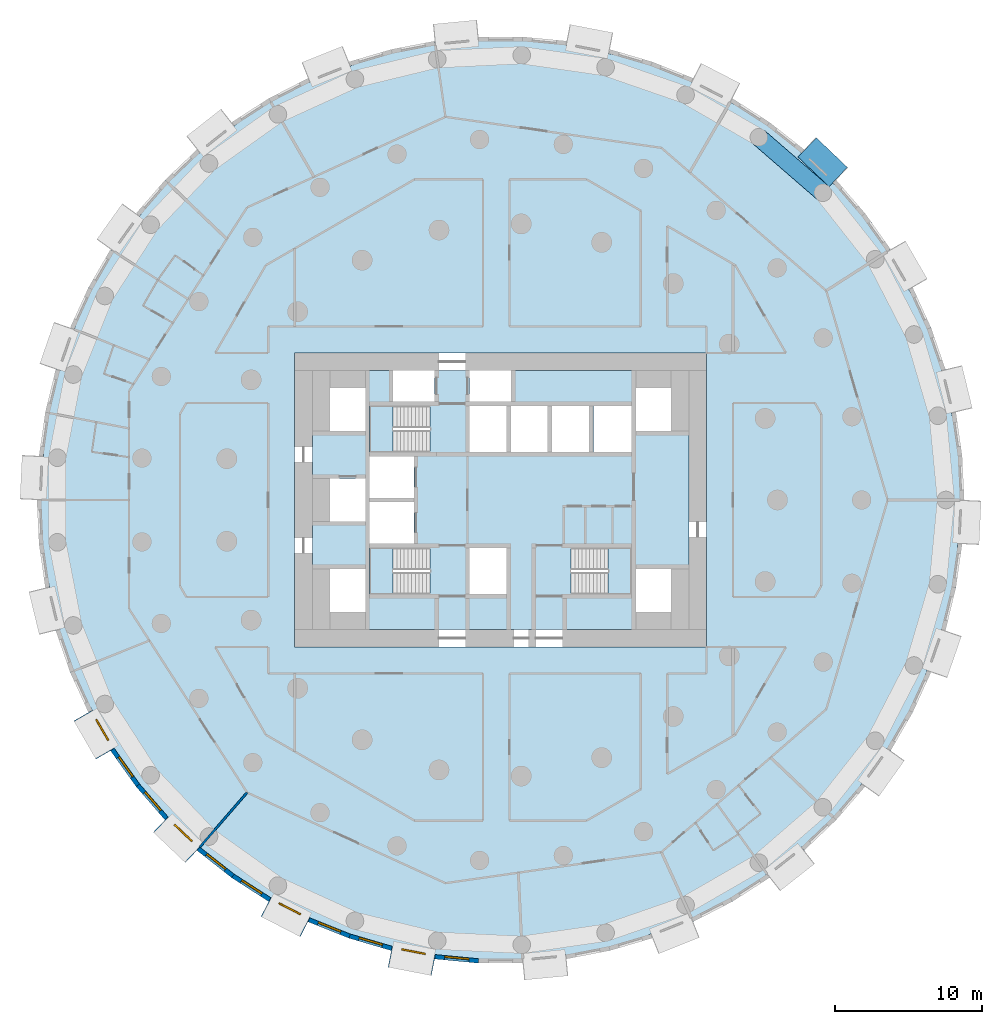
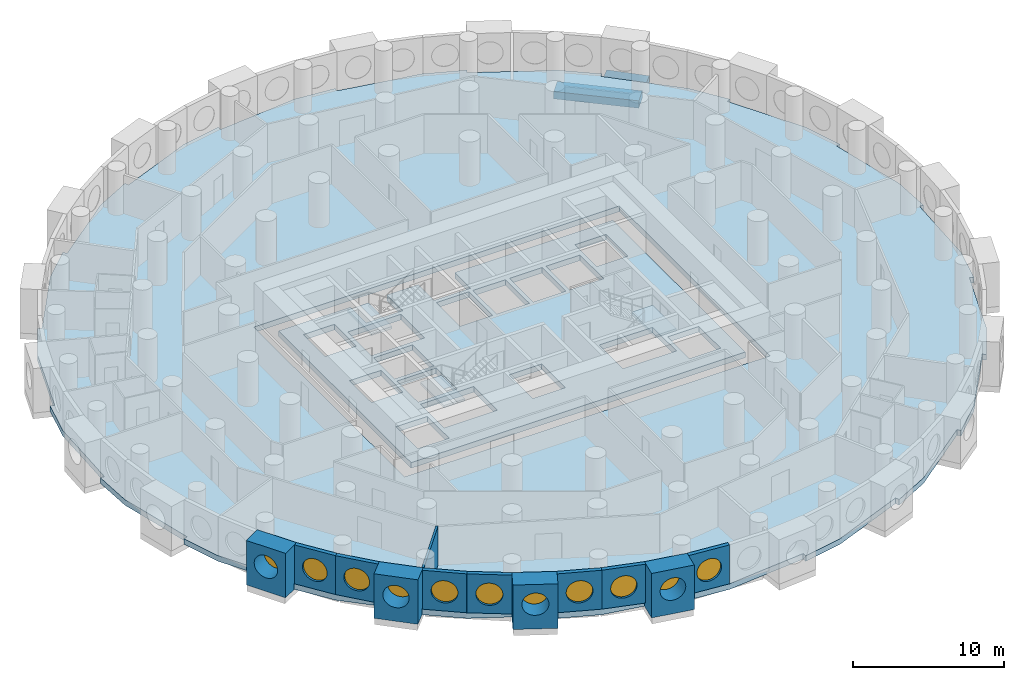
# One storey, part 2 of 11: 12 walls, 11 windows, 5 slabs, 2 beams, 11 openings, 3 elements without a shape of their own.
"""IFC4 building model written with IfcOpenShell, lengths in metres."""

from ifc_helpers import new_model, si_unit, direction, frame, frame_2d, origin, origin_2d, place, context, subcontext, project, spatial, polyline, rectangle, circle, outline, extrude, material, layer, layer_set, material_profile, profile_set, type_object, element, fill, aggregate, save


model = new_model("IFC4")

# Units and contexts
model_context = context("Model", 3, precision=1e-05, world=origin(), true_north=direction((0.0, 1.0)))
body_context = subcontext(model_context, "Body", "Model", "MODEL_VIEW")
ifc_project = project(units=[si_unit("LENGTHUNIT", "METRE"), si_unit("AREAUNIT", "SQUARE_METRE"), si_unit("VOLUMEUNIT", "CUBIC_METRE"), si_unit("PLANEANGLEUNIT", "RADIAN"), si_unit("MASSUNIT", "GRAM", prefix="KILO")], contexts=[model_context])

# Site, building, storey
site_placement = place(None, origin())
site = spatial("IfcSite", under=ifc_project, at=site_placement, CompositionType="ELEMENT")
building_placement = place(site_placement, origin())
building = spatial("IfcBuilding", under=site, at=building_placement, Name="Tracery Tower", CompositionType="ELEMENT")
storey_placement = place(building_placement, frame((0.0, 0.0, 64.199951171875)))
storey = spatial("IfcBuildingStorey", under=building, at=storey_placement, Name="L15", CompositionType="ELEMENT", Elevation=64.199951171875)

# Beams
ifc_material_1 = material(Name="Concrete C60/75", Category="concrete")
ifc_material_profile_1 = material_profile(ifc_material_1, rectangle(XDim=1.81005859375, YDim=0.5, at=origin_2d()), Name="RC 1810x500")
ifc_profile_set_1 = profile_set([ifc_material_profile_1], Name="Concrete C60/75")
beam_type_1 = type_object("IfcBeamType", Name="Bay seat beam 1810 x 500", PredefinedType="BEAM", material=ifc_profile_set_1)
beam_1_placement = place(storey_placement, frame((22.95556640625, 21.95947265625, -0.699951171875), z_axis=(-0.72375405418, 0.690058018617, 0.0), x_axis=(-0.690058018617, -0.72375405418, 0.0)))
element("IfcBeam", 1, at=beam_1_placement, inside=storey, type_object=beam_type_1, Name="Bay seat beam 9 at L15", PredefinedType="BEAM", context=body_context, shape_type="SweptSolid", body=[
    extrude(rectangle(XDim=1.81005859375, YDim=0.5, at=origin_2d()), origin(), (0.0, 0.0, 1.0), 2.919921875),
])
ifc_material_2 = material(Name="Concrete C60/75", Category="concrete")
ifc_material_profile_2 = material_profile(ifc_material_2, rectangle(XDim=1.199951171875, YDim=0.60009765625, at=origin_2d()), Name="RC 1200x600")
ifc_profile_set_2 = profile_set([ifc_material_profile_2], Name="Concrete C60/75")
beam_type_2 = type_object("IfcBeamType", Name="Perimeter band beam 1200x600", PredefinedType="BEAM", material=ifc_profile_set_2)
beam_2_placement = place(storey_placement, frame((21.910888671875, 20.891845703125, -0.75), z_axis=(-0.755760456715, 0.65484817482, 0.0), x_axis=(-0.65484817482, -0.755760456715, 0.0)))
element("IfcBeam", 2, at=beam_2_placement, inside=storey, type_object=beam_type_2, Name="Perimeter beam 0.04 under L15", PredefinedType="BEAM", context=body_context, shape_type="SweptSolid", body=[
    extrude(rectangle(XDim=1.199951171875, YDim=0.60009765625, at=origin_2d()), origin(), (0.0, 0.0, 1.0), 5.755615234375),
])

# Slabs
ifc_material_3 = material(Name="Concrete C60/75", Category="concrete")
ifc_layer_1 = layer(ifc_material_3, 0.449951171875)
ifc_layer_set_1 = layer_set([ifc_layer_1], Name="Core floor slab 450 C60")
slab_type_1 = type_object("IfcSlabType", Name="Core floor slab 450 C60", PredefinedType="FLOOR", material=ifc_layer_set_1)
slab_1_placement = place(storey_placement, frame((0.0, 0.0, -0.449951171875)))
element("IfcSlab", 3, at=slab_1_placement, inside=storey, type_object=slab_type_1, Name="L15 core floor 1", PredefinedType="FLOOR", context=body_context, shape_type="SweptSolid", body=[
    extrude(outline(polyline([(-12.800048828125, 8.800048828125), (-7.300048828125, 8.800048828125), (-7.300048828125, 6.699951171875), (-4.5, 6.699951171875), (-4.5, 8.800048828125), (-2.10009765625, 8.800048828125), (-2.10009765625, 6.699951171875), (0.699951171875, 6.699951171875), (0.699951171875, 8.800048828125), (12.800048828125, 8.800048828125), (12.800048828125, -8.800048828125), (-12.800048828125, -8.800048828125), (-12.800048828125, 8.800048828125)]), holes=[polyline([(11.60009765625, -7.60009765625), (11.60009765625, -4.699951171875), (9.199951171875, -4.699951171875), (9.199951171875, -7.60009765625), (11.60009765625, -7.60009765625)]), polyline([(11.60009765625, 4.699951171875), (11.60009765625, 7.60009765625), (9.199951171875, 7.60009765625), (9.199951171875, 4.699951171875), (11.60009765625, 4.699951171875)]), polyline([(4.800537109375, -3.25), (4.800537109375, -6.39990234375), (8.89990234375, -6.39990234375), (8.89990234375, -3.25), (4.800537109375, -3.25)]), polyline([(6.300048828125, 3.25), (8.89990234375, 3.25), (8.89990234375, 6.39990234375), (6.300048828125, 6.39990234375), (6.300048828125, 3.25)]), polyline([(3.5, 3.25), (6.0, 3.25), (6.0, 6.39990234375), (3.5, 6.39990234375), (3.5, 3.25)]), polyline([(3.199951171875, 3.25), (3.199951171875, 6.39990234375), (0.699951171875, 6.39990234375), (0.699951171875, 3.25), (3.199951171875, 3.25)]), polyline([(-2.10009765625, 3.25), (0.39990234375, 3.25), (0.39990234375, 6.39990234375), (-2.10009765625, 6.39990234375), (-2.10009765625, 3.25)]), polyline([(0.39990234375, -6.39990234375), (0.39990234375, -3.25), (-2.10009765625, -3.25), (-2.10009765625, -6.39990234375), (0.39990234375, -6.39990234375)]), polyline([(-4.800537109375, -3.25), (-8.89990234375, -3.25), (-8.89990234375, -6.39990234375), (-4.800537109375, -6.39990234375), (-4.800537109375, -3.25)]), polyline([(-4.800537109375, 6.39990234375), (-8.89990234375, 6.39990234375), (-8.89990234375, 3.25), (-4.800537109375, 3.25), (-4.800537109375, 6.39990234375)]), polyline([(-8.89990234375, -2.949951171875), (-5.89990234375, -2.949951171875), (-5.89990234375, -0.14990234375), (-8.89990234375, -0.14990234375), (-8.89990234375, -2.949951171875)]), polyline([(-5.89990234375, 0.14990234375), (-5.89990234375, 2.949951171875), (-8.89990234375, 2.949951171875), (-8.89990234375, 0.14990234375), (-5.89990234375, 0.14990234375)]), polyline([(-11.60009765625, 4.699951171875), (-9.199951171875, 4.699951171875), (-9.199951171875, 7.60009765625), (-11.60009765625, 7.60009765625), (-11.60009765625, 4.699951171875)]), polyline([(-9.199951171875, -7.60009765625), (-9.199951171875, -4.699951171875), (-11.60009765625, -4.699951171875), (-11.60009765625, -7.60009765625), (-9.199951171875, -7.60009765625)]), polyline([(-9.199951171875, -1.449951171875), (-9.199951171875, 1.449951171875), (-11.60009765625, 1.449951171875), (-11.60009765625, -1.449951171875), (-9.199951171875, -1.449951171875)])]), origin(), (0.0, 0.0, 1.0), 0.449951171875),
])
ifc_material_4 = material(Name="Concrete C50/60", Category="concrete")
ifc_layer_2 = layer(ifc_material_4, 0.449951171875)
ifc_layer_set_2 = layer_set([ifc_layer_2], Name="Floor slab 450")
slab_type_2 = type_object("IfcSlabType", Name="Floor slab 450", PredefinedType="FLOOR", material=ifc_layer_set_2)
slab_2_placement = place(storey_placement, frame((0.0, 0.0, -0.449951171875)))
element("IfcSlab", 4, at=slab_2_placement, inside=storey, type_object=slab_type_2, Name="Floor slab L15", PredefinedType="FLOOR", context=body_context, shape_type="SweptSolid", body=[
    extrude(outline(polyline([(30.663330078125, 5.8955078125), (30.663330078125, 5.895263671875), (30.66015625, 5.908447265625), (30.659912109375, 5.9091796875), (30.6015625, 6.150390625), (29.9560546875, 8.810791015625), (30.24755859375, 8.881591796875), (30.24755859375, 8.881591796875), (29.266357421875, 11.716552734375), (27.760498046875, 14.29541015625), (27.760498046875, 14.29541015625), (27.7548828125, 14.3046875), (27.753173828125, 14.307861328125), (26.267578125, 16.881103515625), (26.267578125, 16.881103515625), (26.260498046875, 16.8935546875), (26.52001953125, 17.04345703125), (26.520263671875, 17.04345703125), (24.780029296875, 19.4873046875), (22.6083984375, 21.537353515625), (22.6083984375, 21.537353515625), (21.854736328125, 22.256103515625), (20.447509765625, 23.59765625), (20.447509765625, 23.59765625), (20.437255859375, 23.607666015625), (20.64404296875, 23.824462890625), (20.644287109375, 23.82470703125), (18.2861328125, 25.67919921875), (15.625, 27.034423828125), (15.624755859375, 27.034423828125), (15.614990234375, 27.03955078125), (15.612060546875, 27.041015625), (13.0693359375, 28.351806640625), (12.958251953125, 28.4091796875), (13.095703125, 28.67578125), (10.310791015625, 29.790771484375), (7.37548828125, 30.341552734375), (7.37548828125, 30.34130859375), (7.114501953125, 30.3916015625), (4.443603515625, 30.906494140625), (4.443603515625, 30.906494140625), (4.4296875, 30.9091796875), (4.486328125, 31.203369140625), (4.486328125, 31.20361328125), (1.5, 31.489013671875), (-1.471435546875, 31.190185546875), (-1.471435546875, 31.190185546875), (-1.859375, 31.1533203125), (-4.443603515625, 30.906494140625), (-4.443603515625, 30.906494140625), (-4.4580078125, 30.905029296875), (-4.486328125, 31.20361328125), (-7.43212890625, 30.635986328125), (-10.19921875, 29.512451171875), (-10.19921875, 29.51220703125), (-12.984375, 28.397216796875), (-13.095703125, 28.67578125), (-13.095703125, 28.67578125), (-15.76220703125, 27.301025390625), (-18.1005859375, 25.443359375), (-18.1005859375, 25.443359375), (-18.103271484375, 25.44140625), (-18.11181640625, 25.4345703125), (-20.447509765625, 23.59765625), (-20.447509765625, 23.59765625), (-20.458740234375, 23.5888671875), (-20.644287109375, 23.82470703125), (-22.8154296875, 21.75439453125), (-24.53564453125, 19.313232421875), (-24.53564453125, 19.313232421875), (-24.81201171875, 18.9248046875), (-26.267578125, 16.881103515625), (-26.267578125, 16.881103515625), (-26.27587890625, 16.869384765625), (-26.520263671875, 17.04345703125), (-28.020263671875, 14.4453125), (-28.98291015625, 11.618408203125), (-28.98291015625, 11.618408203125), (-29.964111328125, 8.783447265625), (-30.24755859375, 8.881591796875), (-30.954833984375, 5.966064453125), (-31.082275390625, 2.982421875), (-31.082275390625, 2.982421875), (-31.224853515625, -0.014404296875), (-31.524658203125, 0.0), (-31.524658203125, 0.0), (-31.3818359375, -2.99658203125), (-30.663330078125, -5.8955078125), (-30.663330078125, -5.895263671875), (-30.66015625, -5.908447265625), (-30.659912109375, -5.9091796875), (-30.6015625, -6.150390625), (-29.9560546875, -8.810791015625), (-30.24755859375, -8.881591796875), (-30.24755859375, -8.881591796875), (-29.266357421875, -11.716552734375), (-27.760498046875, -14.29541015625), (-27.760498046875, -14.29541015625), (-27.7548828125, -14.3046875), (-27.753173828125, -14.307861328125), (-26.267578125, -16.881103515625), (-26.267578125, -16.881103515625), (-26.260498046875, -16.8935546875), (-26.52001953125, -17.04345703125), (-26.520263671875, -17.04345703125), (-24.780029296875, -19.4873046875), (-22.6083984375, -21.537353515625), (-22.6083984375, -21.537353515625), (-21.854736328125, -22.256103515625), (-20.447509765625, -23.59765625), (-20.447509765625, -23.59765625), (-20.437255859375, -23.607666015625), (-20.64404296875, -23.824462890625), (-20.644287109375, -23.82470703125), (-18.2861328125, -25.67919921875), (-15.625, -27.034423828125), (-15.624755859375, -27.034423828125), (-15.614990234375, -27.03955078125), (-15.612060546875, -27.041015625), (-13.0693359375, -28.351806640625), (-12.958251953125, -28.4091796875), (-13.095703125, -28.67578125), (-10.310791015625, -29.790771484375), (-7.37548828125, -30.341552734375), (-7.37548828125, -30.34130859375), (-7.114501953125, -30.3916015625), (-4.443603515625, -30.906494140625), (-4.443603515625, -30.906494140625), (-4.4296875, -30.9091796875), (-4.486328125, -31.203369140625), (-4.486328125, -31.20361328125), (-1.5, -31.489013671875), (1.471435546875, -31.190185546875), (1.471435546875, -31.190185546875), (1.859375, -31.1533203125), (4.443603515625, -30.906494140625), (4.443603515625, -30.906494140625), (4.4580078125, -30.905029296875), (4.486328125, -31.20361328125), (7.43212890625, -30.635986328125), (10.19921875, -29.512451171875), (10.19921875, -29.51220703125), (12.984375, -28.397216796875), (13.095703125, -28.67578125), (13.095703125, -28.67578125), (15.76220703125, -27.301025390625), (18.1005859375, -25.443359375), (18.1005859375, -25.443359375), (18.103271484375, -25.44140625), (18.11181640625, -25.4345703125), (20.447509765625, -23.59765625), (20.447509765625, -23.59765625), (20.458740234375, -23.5888671875), (20.644287109375, -23.82470703125), (22.8154296875, -21.75439453125), (24.53564453125, -19.313232421875), (24.53564453125, -19.313232421875), (24.81201171875, -18.9248046875), (26.267578125, -16.881103515625), (26.267578125, -16.881103515625), (26.27587890625, -16.869384765625), (26.520263671875, -17.04345703125), (28.020263671875, -14.4453125), (28.98291015625, -11.618408203125), (28.98291015625, -11.618408203125), (29.964111328125, -8.783447265625), (30.24755859375, -8.881591796875), (30.954833984375, -5.966064453125), (31.082275390625, -2.982421875), (31.082275390625, -2.982421875), (31.224853515625, 0.014404296875), (31.524658203125, 0.0), (31.3818359375, 2.99658203125), (30.663330078125, 5.8955078125)]), holes=[polyline([(-14.0, -10.0), (14.0, -10.0), (14.0, 10.0), (-14.0, 10.0), (-14.0, -10.0)])]), origin(), (0.0, 0.0, 1.0), 0.449951171875),
])

# Stair, slab
ifc_material_5 = material(Name="Concrete C32/40", Category="concrete")
stair_type = type_object("IfcStairType", Name="Core stair 22 risers", PredefinedType="HALF_TURN_STAIR", material=ifc_material_5)
stair_1_placement = place(storey_placement, origin())
stair_1 = element("IfcStair", 5, at=stair_1_placement, inside=storey, type_object=stair_type, Name="L15 stair ST1", PredefinedType="HALF_TURN_STAIR")
ifc_material_6 = material(Name="Concrete C32/40", Category="concrete")
ifc_layer_3 = layer(ifc_material_6, 0.199951171875)
ifc_layer_set_3 = layer_set([ifc_layer_3], Name="Stair landing slab 200")
slab_type_3 = type_object("IfcSlabType", Name="Stair landing slab 200", PredefinedType="LANDING", material=ifc_layer_set_3)
slab_3_placement = place(storey_placement, frame((0.0, 0.0, 1.60009765625)))
slab_3 = element("IfcSlab", 6, at=slab_3_placement, type_object=slab_type_3, Name="ST1 landing 1", PredefinedType="LANDING", context=body_context, shape_type="SweptSolid", body=[
    extrude(outline(polyline([(-7.29931640625, -3.25), (-8.89990234375, -3.25), (-8.89990234375, -6.39990234375), (-7.29931640625, -6.39990234375), (-7.29931640625, -3.25)])), origin(), (0.0, 0.0, 1.0), 0.199951171875),
])
aggregate(stair_1, [slab_3])

stair_2_placement = place(storey_placement, origin())
stair_2 = element("IfcStair", 7, at=stair_2_placement, inside=storey, type_object=stair_type, Name="L15 stair ST3", PredefinedType="HALF_TURN_STAIR")
slab_4_placement = place(storey_placement, frame((0.0, 0.0, 1.60009765625)))
slab_4 = element("IfcSlab", 8, at=slab_4_placement, type_object=slab_type_3, Name="ST3 landing 1", PredefinedType="LANDING", context=body_context, shape_type="SweptSolid", body=[
    extrude(outline(polyline([(-7.29931640625, 6.39990234375), (-8.89990234375, 6.39990234375), (-8.89990234375, 3.25), (-7.29931640625, 3.25), (-7.29931640625, 6.39990234375)])), origin(), (0.0, 0.0, 1.0), 0.199951171875),
])
aggregate(stair_2, [slab_4])

stair_3_placement = place(storey_placement, origin())
stair_3 = element("IfcStair", 9, at=stair_3_placement, inside=storey, type_object=stair_type, Name="L15 stair ST2", PredefinedType="HALF_TURN_STAIR")
slab_5_placement = place(storey_placement, frame((0.0, 0.0, 1.60009765625)))
slab_5 = element("IfcSlab", 10, at=slab_5_placement, type_object=slab_type_3, Name="ST2 landing 1", PredefinedType="LANDING", context=body_context, shape_type="SweptSolid", body=[
    extrude(outline(polyline([(7.29931640625, -6.39990234375), (8.89990234375, -6.39990234375), (8.89990234375, -3.25), (7.29931640625, -3.25), (7.29931640625, -6.39990234375)])), origin(), (0.0, 0.0, 1.0), 0.199951171875),
])
aggregate(stair_3, [slab_5])

# Wall, opening, window
ifc_material_7 = material(Name="Precast concrete C50/60", Category="concrete")
ifc_layer_4 = layer(ifc_material_7, 1.449951171875)
ifc_layer_set_4 = layer_set([ifc_layer_4], Name="Deep-set bay unit 3000 x 3600, slab edge 450")
wall_type_1 = type_object("IfcWallType", Name="Deep-set bay unit 3000 x 3600, slab edge 450", PredefinedType="ELEMENTEDWALL", material=ifc_layer_set_4)
wall_1_placement = place(storey_placement, frame((-28.38818359375, -14.657958984375, -0.449951171875), z_axis=(0.0, 0.0, 1.0), x_axis=(0.499990139034, -0.866031096941, 0.0)))
wall_1 = element("IfcWall", 11, at=wall_1_placement, inside=storey, type_object=wall_type_1, Name="Deep-set bay unit 39 at L15", PredefinedType="ELEMENTEDWALL", context=body_context, shape_type="SweptSolid", body=[
    extrude(rectangle(XDim=3.0, YDim=1.449951171875, at=frame_2d((1.5, 0.0))), origin(), (0.0, 0.0, 1.0), 3.60009765625),
])
opening_1_placement = place(wall_1_placement, frame((1.5, 0.0, 2.0)))
opening_1 = element("IfcOpeningElement", 12, at=opening_1_placement, cuts=wall_1, Name="Opening WN1", PredefinedType="OPENING", context=body_context, shape_type="SweptSolid", body=[
    extrude(circle(Radius=0.9000244140625, at=origin_2d()), frame((0.0, 0.73486328125, 0.0), z_axis=(0.0, -1.0, 0.0), x_axis=(1.0, 0.0, 0.0)), (0.0, 0.0, 1.0), 1.469970703125),
])
ifc_material_8 = material(Name="Aluminium frame with tinted double glazing", Category="aluminium")
window_type = type_object("IfcWindowType", Name="Round window 1800", PartitioningType="SINGLE_PANEL", PredefinedType="WINDOW", material=ifc_material_8)
window_1_placement = place(opening_1_placement, origin())
window_1 = element("IfcWindow", 13, at=window_1_placement, inside=storey, type_object=window_type, Name="Round window 39 at L15", OverallHeight=1.800048828125, OverallWidth=1.800048828125, PartitioningType="SINGLE_PANEL", PredefinedType="WINDOW", context=body_context, shape_type="SweptSolid", body=[
    extrude(circle(Radius=0.9000244140625, at=origin_2d()), frame((0.0, 0.69482421875, 0.0), z_axis=(0.0, -1.0, 0.0), x_axis=(1.0, 0.0, 0.0)), (0.0, 0.0, 1.0), 0.10009765625),
])
fill(opening_1, window_1)

wall_2_placement = place(storey_placement, frame((-23.108642578125, -22.06201171875, -0.449951171875), z_axis=(0.0, 0.0, 1.0), x_axis=(0.723712023899, -0.690102098579, 0.0)))
wall_2 = element("IfcWall", 14, at=wall_2_placement, inside=storey, type_object=wall_type_1, Name="Deep-set bay unit 42 at L15", PredefinedType="ELEMENTEDWALL", context=body_context, shape_type="SweptSolid", body=[
    extrude(rectangle(XDim=3.0, YDim=1.449951171875, at=frame_2d((1.5, 0.0))), origin(), (0.0, 0.0, 1.0), 3.60009765625),
])
opening_2_placement = place(wall_2_placement, frame((1.5, 0.0, 2.0)))
opening_2 = element("IfcOpeningElement", 15, at=opening_2_placement, cuts=wall_2, Name="Opening WN1", PredefinedType="OPENING", context=body_context, shape_type="SweptSolid", body=[
    extrude(circle(Radius=0.9000244140625, at=origin_2d()), frame((0.0, 0.73486328125, 0.0), z_axis=(0.0, -1.0, 0.0), x_axis=(1.0, 0.0, 0.0)), (0.0, 0.0, 1.0), 1.469970703125),
])
window_2_placement = place(opening_2_placement, origin())
window_2 = element("IfcWindow", 16, at=window_2_placement, inside=storey, type_object=window_type, Name="Round window 42 at L15", OverallHeight=1.800048828125, OverallWidth=1.800048828125, PartitioningType="SINGLE_PANEL", PredefinedType="WINDOW", context=body_context, shape_type="SweptSolid", body=[
    extrude(circle(Radius=0.9000244140625, at=origin_2d()), frame((0.0, 0.69482421875, 0.0), z_axis=(0.0, -1.0, 0.0), x_axis=(1.0, 0.0, 0.0)), (0.0, 0.0, 1.0), 0.10009765625),
])
fill(opening_2, window_2)

wall_3_placement = place(storey_placement, frame((-15.95703125, -27.678955078125, -0.449951171875), z_axis=(0.0, 0.0, 1.0), x_axis=(0.888858064689, -0.458182650083, 0.0)))
wall_3 = element("IfcWall", 17, at=wall_3_placement, inside=storey, type_object=wall_type_1, Name="Deep-set bay unit 45 at L15", PredefinedType="ELEMENTEDWALL", context=body_context, shape_type="SweptSolid", body=[
    extrude(rectangle(XDim=3.0, YDim=1.449951171875, at=frame_2d((1.5, 0.0))), origin(), (0.0, 0.0, 1.0), 3.60009765625),
])
opening_3_placement = place(wall_3_placement, frame((1.5, 0.0, 2.0)))
opening_3 = element("IfcOpeningElement", 18, at=opening_3_placement, cuts=wall_3, Name="Opening WN1", PredefinedType="OPENING", context=body_context, shape_type="SweptSolid", body=[
    extrude(circle(Radius=0.9000244140625, at=origin_2d()), frame((0.0, 0.73486328125, 0.0), z_axis=(0.0, -1.0, 0.0), x_axis=(1.0, 0.0, 0.0)), (0.0, 0.0, 1.0), 1.469970703125),
])
window_3_placement = place(opening_3_placement, origin())
window_3 = element("IfcWindow", 19, at=window_3_placement, inside=storey, type_object=window_type, Name="Round window 45 at L15", OverallHeight=1.800048828125, OverallWidth=1.800048828125, PartitioningType="SINGLE_PANEL", PredefinedType="WINDOW", context=body_context, shape_type="SweptSolid", body=[
    extrude(circle(Radius=0.9000244140625, at=origin_2d()), frame((0.0, 0.69482421875, 0.0), z_axis=(0.0, -1.0, 0.0), x_axis=(1.0, 0.0, 0.0)), (0.0, 0.0, 1.0), 0.10009765625),
])
fill(opening_3, window_3)

wall_4_placement = place(storey_placement, frame((-7.5126953125, -31.05322265625, -0.449951171875), z_axis=(0.0, 0.0, 1.0), x_axis=(0.981921602273, -0.189288052949, 0.0)))
wall_4 = element("IfcWall", 20, at=wall_4_placement, inside=storey, type_object=wall_type_1, Name="Deep-set bay unit 48 at L15", PredefinedType="ELEMENTEDWALL", context=body_context, shape_type="SweptSolid", body=[
    extrude(rectangle(XDim=3.0, YDim=1.449951171875, at=frame_2d((1.5, 0.0))), origin(), (0.0, 0.0, 1.0), 3.60009765625),
])
opening_4_placement = place(wall_4_placement, frame((1.5, 0.0, 2.0)))
opening_4 = element("IfcOpeningElement", 21, at=opening_4_placement, cuts=wall_4, Name="Opening WN1", PredefinedType="OPENING", context=body_context, shape_type="SweptSolid", body=[
    extrude(circle(Radius=0.9000244140625, at=origin_2d()), frame((0.0, 0.73486328125, 0.0), z_axis=(0.0, -1.0, 0.0), x_axis=(1.0, 0.0, 0.0)), (0.0, 0.0, 1.0), 1.469970703125),
])
window_4_placement = place(opening_4_placement, origin())
window_4 = element("IfcWindow", 22, at=window_4_placement, inside=storey, type_object=window_type, Name="Round window 48 at L15", OverallHeight=1.800048828125, OverallWidth=1.800048828125, PartitioningType="SINGLE_PANEL", PredefinedType="WINDOW", context=body_context, shape_type="SweptSolid", body=[
    extrude(circle(Radius=0.9000244140625, at=origin_2d()), frame((0.0, 0.69482421875, 0.0), z_axis=(0.0, -1.0, 0.0), x_axis=(1.0, 0.0, 0.0)), (0.0, 0.0, 1.0), 0.10009765625),
])
fill(opening_4, window_4)

ifc_material_9 = material(Name="Precast concrete C50/60", Category="concrete")
ifc_layer_5 = layer(ifc_material_9, 0.300048828125)
ifc_layer_set_5 = layer_set([ifc_layer_5], Name="Facade panel 3000 x 3150")
wall_type_2 = type_object("IfcWallType", Name="Facade panel 3000 x 3150", PredefinedType="SOLIDWALL", material=ifc_layer_set_5)
wall_5_placement = place(storey_placement, frame((-26.390380859375, -16.96728515625, 0.0), z_axis=(0.0, 0.0, 1.0), x_axis=(0.580113774115, -0.814535456, 0.0)))
wall_5 = element("IfcWall", 23, at=wall_5_placement, inside=storey, type_object=wall_type_2, Name="Facade panel 40 at L15", PredefinedType="SOLIDWALL", context=body_context, shape_type="SweptSolid", body=[
    extrude(rectangle(XDim=2.979736328125, YDim=0.300048828125, at=frame_2d((1.48974609375, 0.0))), origin(), (0.0, 0.0, 1.0), 3.150146484375),
])
opening_5_placement = place(wall_5_placement, frame((1.48974609375, 0.0, 1.5498046875)))
opening_5 = element("IfcOpeningElement", 24, at=opening_5_placement, cuts=wall_5, Name="Opening WN1", PredefinedType="OPENING", context=body_context, shape_type="SweptSolid", body=[
    extrude(circle(Radius=0.9000244140625, at=origin_2d()), frame((0.0, 0.159912109375, 0.0), z_axis=(0.0, -1.0, 0.0), x_axis=(1.0, 0.0, 0.0)), (0.0, 0.0, 1.0), 0.320068359375),
])
window_5_placement = place(opening_5_placement, origin())
window_5 = element("IfcWindow", 25, at=window_5_placement, inside=storey, type_object=window_type, Name="Round window 40 at L15", OverallHeight=1.800048828125, OverallWidth=1.800048828125, PartitioningType="SINGLE_PANEL", PredefinedType="WINDOW", context=body_context, shape_type="SweptSolid", body=[
    extrude(circle(Radius=0.9000244140625, at=origin_2d()), frame((0.0, 0.1201171875, 0.0), z_axis=(0.0, -1.0, 0.0), x_axis=(1.0, 0.0, 0.0)), (0.0, 0.0, 1.0), 0.10009765625),
])
fill(opening_5, window_5)

wall_6_placement = place(storey_placement, frame((-24.661865234375, -19.394287109375, 0.0), z_axis=(0.0, 0.0, 1.0), x_axis=(0.654830712471, -0.755775587066, 0.0)))
wall_6 = element("IfcWall", 26, at=wall_6_placement, inside=storey, type_object=wall_type_2, Name="Facade panel 41 at L15", PredefinedType="SOLIDWALL", context=body_context, shape_type="SweptSolid", body=[
    extrude(rectangle(XDim=2.979736328125, YDim=0.300048828125, at=frame_2d((1.48974609375, 0.0))), origin(), (0.0, 0.0, 1.0), 3.150146484375),
])
opening_6_placement = place(wall_6_placement, frame((1.48974609375, 0.0, 1.5498046875)))
opening_6 = element("IfcOpeningElement", 27, at=opening_6_placement, cuts=wall_6, Name="Opening WN1", PredefinedType="OPENING", context=body_context, shape_type="SweptSolid", body=[
    extrude(circle(Radius=0.9000244140625, at=origin_2d()), frame((0.0, 0.159912109375, 0.0), z_axis=(0.0, -1.0, 0.0), x_axis=(1.0, 0.0, 0.0)), (0.0, 0.0, 1.0), 0.320068359375),
])
window_6_placement = place(opening_6_placement, origin())
window_6 = element("IfcWindow", 28, at=window_6_placement, inside=storey, type_object=window_type, Name="Round window 41 at L15", OverallHeight=1.800048828125, OverallWidth=1.800048828125, PartitioningType="SINGLE_PANEL", PredefinedType="WINDOW", context=body_context, shape_type="SweptSolid", body=[
    extrude(circle(Radius=0.9000244140625, at=origin_2d()), frame((0.0, 0.1201171875, 0.0), z_axis=(0.0, -1.0, 0.0), x_axis=(1.0, 0.0, 0.0)), (0.0, 0.0, 1.0), 0.10009765625),
])
fill(opening_6, window_6)

wall_7_placement = place(storey_placement, frame((-20.541015625, -23.715087890625, 0.0), z_axis=(0.0, 0.0, 1.0), x_axis=(0.786053834673, -0.618158045322, 0.0)))
wall_7 = element("IfcWall", 29, at=wall_7_placement, inside=storey, type_object=wall_type_2, Name="Facade panel 43 at L15", PredefinedType="SOLIDWALL", context=body_context, shape_type="SweptSolid", body=[
    extrude(rectangle(XDim=2.9794921875, YDim=0.300048828125, at=frame_2d((1.48974609375, 0.0))), origin(), (0.0, 0.0, 1.0), 3.150146484375),
])
opening_7_placement = place(wall_7_placement, frame((1.48974609375, 0.0, 1.5498046875)))
opening_7 = element("IfcOpeningElement", 30, at=opening_7_placement, cuts=wall_7, Name="Opening WN1", PredefinedType="OPENING", context=body_context, shape_type="SweptSolid", body=[
    extrude(circle(Radius=0.9000244140625, at=origin_2d()), frame((0.0, 0.159912109375, 0.0), z_axis=(0.0, -1.0, 0.0), x_axis=(1.0, 0.0, 0.0)), (0.0, 0.0, 1.0), 0.320068359375),
])
window_7_placement = place(opening_7_placement, origin())
window_7 = element("IfcWindow", 31, at=window_7_placement, inside=storey, type_object=window_type, Name="Round window 43 at L15", OverallHeight=1.800048828125, OverallWidth=1.800048828125, PartitioningType="SINGLE_PANEL", PredefinedType="WINDOW", context=body_context, shape_type="SweptSolid", body=[
    extrude(circle(Radius=0.9000244140625, at=origin_2d()), frame((0.0, 0.1201171875, 0.0), z_axis=(0.0, -1.0, 0.0), x_axis=(1.0, 0.0, 0.0)), (0.0, 0.0, 1.0), 0.10009765625),
])
fill(opening_7, window_7)

wall_8_placement = place(storey_placement, frame((-18.198974609375, -25.556884765625, 0.0), z_axis=(0.0, 0.0, 1.0), x_axis=(0.841260995538, -0.54062920508, 0.0)))
wall_8 = element("IfcWall", 32, at=wall_8_placement, inside=storey, type_object=wall_type_2, Name="Facade panel 44 at L15", PredefinedType="SOLIDWALL", context=body_context, shape_type="SweptSolid", body=[
    extrude(rectangle(XDim=2.9794921875, YDim=0.300048828125, at=frame_2d((1.48974609375, 0.0))), origin(), (0.0, 0.0, 1.0), 3.150146484375),
])
opening_8_placement = place(wall_8_placement, frame((1.48974609375, 0.0, 1.5498046875)))
opening_8 = element("IfcOpeningElement", 33, at=opening_8_placement, cuts=wall_8, Name="Opening WN1", PredefinedType="OPENING", context=body_context, shape_type="SweptSolid", body=[
    extrude(circle(Radius=0.9000244140625, at=origin_2d()), frame((0.0, 0.159912109375, 0.0), z_axis=(0.0, -1.0, 0.0), x_axis=(1.0, 0.0, 0.0)), (0.0, 0.0, 1.0), 0.320068359375),
])
window_8_placement = place(opening_8_placement, origin())
window_8 = element("IfcWindow", 34, at=window_8_placement, inside=storey, type_object=window_type, Name="Round window 44 at L15", OverallHeight=1.800048828125, OverallWidth=1.800048828125, PartitioningType="SINGLE_PANEL", PredefinedType="WINDOW", context=body_context, shape_type="SweptSolid", body=[
    extrude(circle(Radius=0.9000244140625, at=origin_2d()), frame((0.0, 0.1201171875, 0.0), z_axis=(0.0, -1.0, 0.0), x_axis=(1.0, 0.0, 0.0)), (0.0, 0.0, 1.0), 0.10009765625),
])
fill(opening_8, window_8)

wall_9_placement = place(storey_placement, frame((-13.02783203125, -28.54150390625, 0.0), z_axis=(0.0, 0.0, 1.0), x_axis=(0.928374947, -0.371644935098, 0.0)))
wall_9 = element("IfcWall", 35, at=wall_9_placement, inside=storey, type_object=wall_type_2, Name="Facade panel 46 at L15", PredefinedType="SOLIDWALL", context=body_context, shape_type="SweptSolid", body=[
    extrude(rectangle(XDim=2.979736328125, YDim=0.300048828125, at=frame_2d((1.48974609375, 0.0))), origin(), (0.0, 0.0, 1.0), 3.150146484375),
])
opening_9_placement = place(wall_9_placement, frame((1.48974609375, 0.0, 1.5498046875)))
opening_9 = element("IfcOpeningElement", 36, at=opening_9_placement, cuts=wall_9, Name="Opening WN1", PredefinedType="OPENING", context=body_context, shape_type="SweptSolid", body=[
    extrude(circle(Radius=0.9000244140625, at=origin_2d()), frame((0.0, 0.159912109375, 0.0), z_axis=(0.0, -1.0, 0.0), x_axis=(1.0, 0.0, 0.0)), (0.0, 0.0, 1.0), 0.320068359375),
])
window_9_placement = place(opening_9_placement, origin())
window_9 = element("IfcWindow", 37, at=window_9_placement, inside=storey, type_object=window_type, Name="Round window 46 at L15", OverallHeight=1.800048828125, OverallWidth=1.800048828125, PartitioningType="SINGLE_PANEL", PredefinedType="WINDOW", context=body_context, shape_type="SweptSolid", body=[
    extrude(circle(Radius=0.9000244140625, at=origin_2d()), frame((0.0, 0.1201171875, 0.0), z_axis=(0.0, -1.0, 0.0), x_axis=(1.0, 0.0, 0.0)), (0.0, 0.0, 1.0), 0.10009765625),
])
fill(opening_9, window_9)

wall_10_placement = place(storey_placement, frame((-10.261474609375, -29.64892578125, 0.0), z_axis=(0.0, 0.0, 1.0), x_axis=(0.959501085144, -0.281704930036, 0.0)))
wall_10 = element("IfcWall", 38, at=wall_10_placement, inside=storey, type_object=wall_type_2, Name="Facade panel 47 at L15", PredefinedType="SOLIDWALL", context=body_context, shape_type="SweptSolid", body=[
    extrude(rectangle(XDim=2.9794921875, YDim=0.300048828125, at=frame_2d((1.48974609375, 0.0))), origin(), (0.0, 0.0, 1.0), 3.150146484375),
])
opening_10_placement = place(wall_10_placement, frame((1.48974609375, 0.0, 1.5498046875)))
opening_10 = element("IfcOpeningElement", 39, at=opening_10_placement, cuts=wall_10, Name="Opening WN1", PredefinedType="OPENING", context=body_context, shape_type="SweptSolid", body=[
    extrude(circle(Radius=0.9000244140625, at=origin_2d()), frame((0.0, 0.159912109375, 0.0), z_axis=(0.0, -1.0, 0.0), x_axis=(1.0, 0.0, 0.0)), (0.0, 0.0, 1.0), 0.320068359375),
])
window_10_placement = place(opening_10_placement, origin())
window_10 = element("IfcWindow", 40, at=window_10_placement, inside=storey, type_object=window_type, Name="Round window 47 at L15", OverallHeight=1.800048828125, OverallWidth=1.800048828125, PartitioningType="SINGLE_PANEL", PredefinedType="WINDOW", context=body_context, shape_type="SweptSolid", body=[
    extrude(circle(Radius=0.9000244140625, at=origin_2d()), frame((0.0, 0.1201171875, 0.0), z_axis=(0.0, -1.0, 0.0), x_axis=(1.0, 0.0, 0.0)), (0.0, 0.0, 1.0), 0.10009765625),
])
fill(opening_10, window_10)

wall_11_placement = place(storey_placement, frame((-4.458984375, -31.0556640625, 0.0), z_axis=(0.0, 0.0, 1.0), x_axis=(0.995472611385, -0.095048829468, 0.0)))
wall_11 = element("IfcWall", 41, at=wall_11_placement, inside=storey, type_object=wall_type_2, Name="Facade panel 49 at L15", PredefinedType="SOLIDWALL", context=body_context, shape_type="SweptSolid", body=[
    extrude(rectangle(XDim=2.9794921875, YDim=0.300048828125, at=frame_2d((1.48974609375, 0.0))), origin(), (0.0, 0.0, 1.0), 3.150146484375),
])
opening_11_placement = place(wall_11_placement, frame((1.48974609375, 0.0, 1.5498046875)))
opening_11 = element("IfcOpeningElement", 42, at=opening_11_placement, cuts=wall_11, Name="Opening WN1", PredefinedType="OPENING", context=body_context, shape_type="SweptSolid", body=[
    extrude(circle(Radius=0.9000244140625, at=origin_2d()), frame((0.0, 0.159912109375, 0.0), z_axis=(0.0, -1.0, 0.0), x_axis=(1.0, 0.0, 0.0)), (0.0, 0.0, 1.0), 0.320068359375),
])
window_11_placement = place(opening_11_placement, origin())
window_11 = element("IfcWindow", 43, at=window_11_placement, inside=storey, type_object=window_type, Name="Round window 49 at L15", OverallHeight=1.800048828125, OverallWidth=1.800048828125, PartitioningType="SINGLE_PANEL", PredefinedType="WINDOW", context=body_context, shape_type="SweptSolid", body=[
    extrude(circle(Radius=0.9000244140625, at=origin_2d()), frame((0.0, 0.1201171875, 0.0), z_axis=(0.0, -1.0, 0.0), x_axis=(1.0, 0.0, 0.0)), (0.0, 0.0, 1.0), 0.10009765625),
])
fill(opening_11, window_11)

# Wall
ifc_material_10 = material(Name="Plasterboard on steel studs", Category="steel")
ifc_layer_6 = layer(ifc_material_10, 0.14990234375)
ifc_layer_set_6 = layer_set([ifc_layer_6], Name="Partition 150 acoustic unit wall")
wall_type_3 = type_object("IfcWallType", Name="Partition 150 acoustic unit wall", PredefinedType="PARTITIONING", material=ifc_layer_set_6)
wall_12_placement = place(storey_placement, frame((-20.447998046875, -23.597900390625, 0.0), z_axis=(0.0, 0.0, 1.0), x_axis=(0.654847179409, 0.755761319214, 0.0)))
element("IfcWall", 44, at=wall_12_placement, inside=storey, type_object=wall_type_3, Name="Unit wall RA4-084", PredefinedType="PARTITIONING", context=body_context, shape_type="SweptSolid", body=[
    extrude(rectangle(XDim=4.90625, YDim=0.14990234375, at=frame_2d((2.453125, 0.0))), origin(), (0.0, 0.0, 1.0), 3.150146484375),
])

save(model, "model.ifc")
